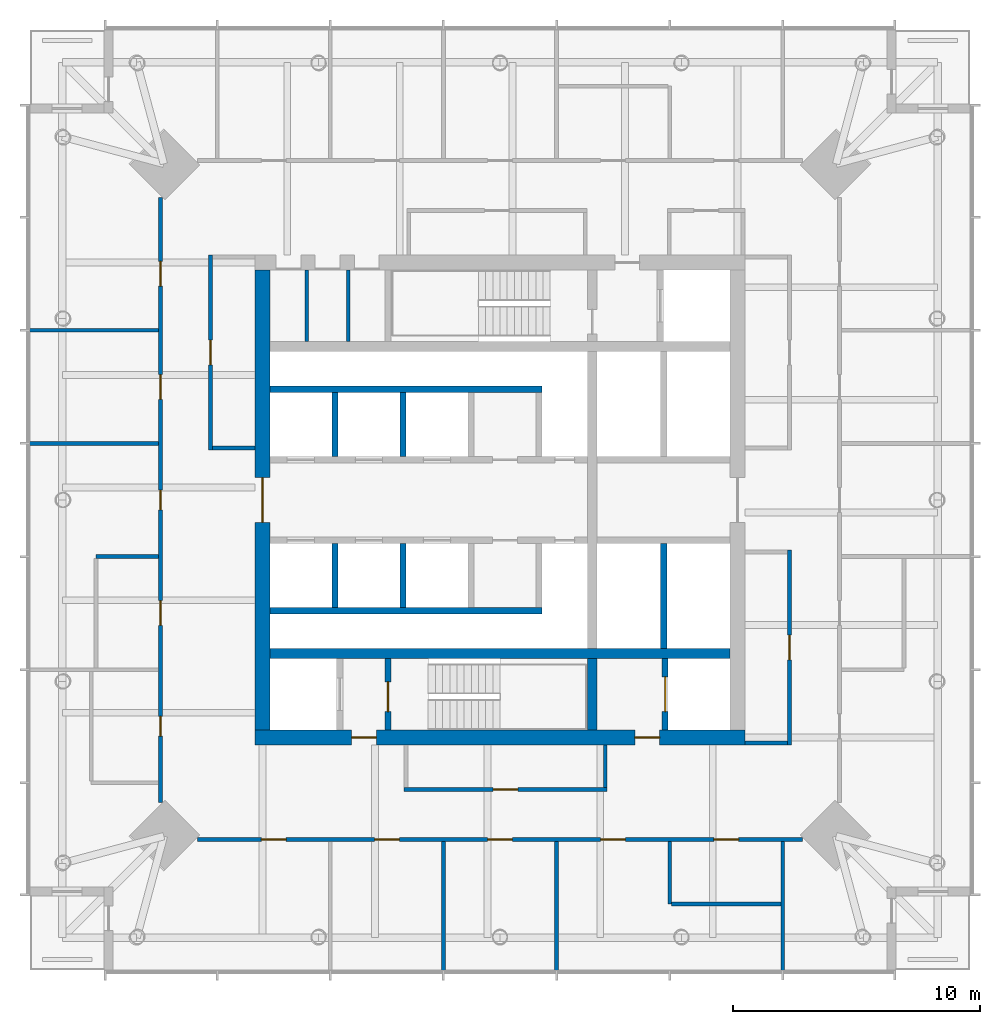
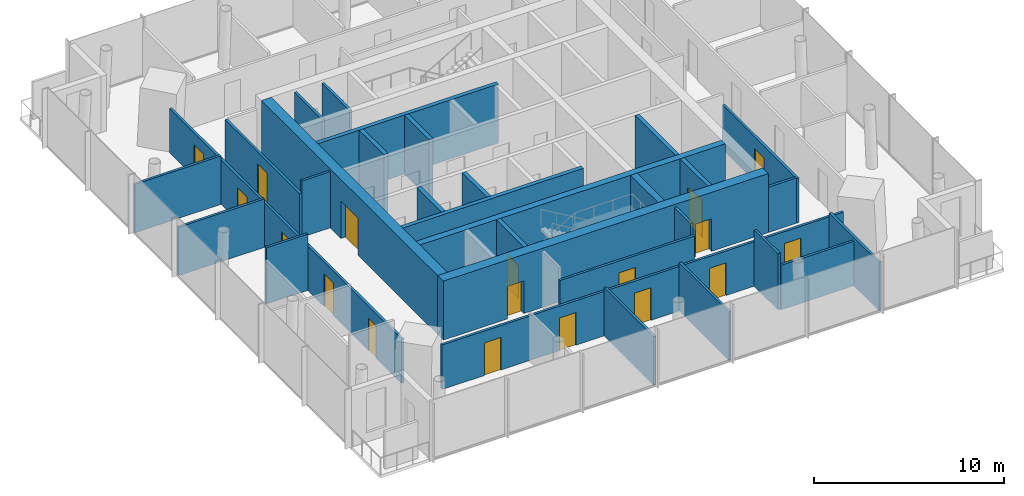
# One storey, part 4 of 7: 31 walls, 18 doors, 18 openings.
"""IFC4 building model written with IfcOpenShell, lengths in metres."""

from ifc_helpers import new_model, si_unit, direction, frame, frame_2d, origin, place, context, subcontext, project, spatial, rectangle, extrude, material, layer, layer_set, type_object, element, fill, save


model = new_model("IFC4")

# Units and contexts
model_context = context("Model", 3, precision=1e-05, world=origin(), true_north=direction((0.0, 1.0)))
body_context = subcontext(model_context, "Body", "Model", "MODEL_VIEW")
ifc_project = project(units=[si_unit("LENGTHUNIT", "METRE"), si_unit("AREAUNIT", "SQUARE_METRE"), si_unit("VOLUMEUNIT", "CUBIC_METRE"), si_unit("PLANEANGLEUNIT", "RADIAN"), si_unit("MASSUNIT", "GRAM", prefix="KILO")], contexts=[model_context])

# Site, building, storey
site_placement = place(None, origin())
site = spatial("IfcSite", under=ifc_project, at=site_placement, CompositionType="ELEMENT")
building_placement = place(site_placement, origin())
building = spatial("IfcBuilding", under=site, at=building_placement, Name="Ostroluk Exchange", CompositionType="ELEMENT")
storey_placement = place(building_placement, frame((0.0, 0.0, 218.60009765625)))
storey = spatial("IfcBuildingStorey", under=building, at=storey_placement, Name="L56", CompositionType="ELEMENT", Elevation=218.60009765625)

# Walls
ifc_material_1 = material(Name="Concrete blockwork", Category="masonry")
ifc_layer_1 = layer(ifc_material_1, 0.14990234375)
ifc_layer_set_1 = layer_set([ifc_layer_1], Name="Blockwork plant room wall 150")
wall_type_1 = type_object("IfcWallType", Name="Blockwork plant room wall 150", PredefinedType="SOLIDWALL", material=ifc_layer_set_1)
for number, where, z_axis, x_axis, name in (
    (1, (37.18798828125, 52.39990234375, 0.0), (0.0, 0.0, 1.0), (0.0, 1.0, 0.0), "Core room wall"),
    (2, (38.862060546875, 52.39990234375, 0.0), (0.0, 0.0, 1.0), (0.0, 1.0, 0.0), "Core room wall"),
):
    element("IfcWall", number, at=place(storey_placement, frame(where, z_axis=z_axis, x_axis=x_axis)), inside=storey, type_object=wall_type_1, Name=name, PredefinedType="SOLIDWALL", context=body_context, shape_type="SweptSolid", body=[
        extrude(rectangle(XDim=2.900146484375, YDim=0.14990234375, at=frame_2d((1.4501953125, 0.0))), origin(), (0.0, 0.0, 1.0), 3.619873046875),
    ])
ifc_material_2 = material(Name="Concrete C50/60", Category="concrete")
ifc_layer_2 = layer(ifc_material_2, 0.39990234375)
ifc_layer_set_2 = layer_set([ifc_layer_2], Name="Core cross wall 400 C50/60")
wall_type_2 = type_object("IfcWallType", Name="Core cross wall 400 C50/60", PredefinedType="SHEAR", material=ifc_layer_set_2)
wall_1_placement = place(storey_placement, frame((35.699951171875, 39.800048828125, 0.0), z_axis=(0.0, 0.0, 1.0), x_axis=(1.0, 0.0, 0.0)))
element("IfcWall", 3, at=wall_1_placement, inside=storey, type_object=wall_type_2, Name="T1 core wall XS", PredefinedType="SHEAR", context=body_context, shape_type="SweptSolid", body=[
    extrude(rectangle(XDim=18.60009765625, YDim=0.39990234375, at=frame_2d((9.300048828125, 0.0))), origin(), (0.0, 0.0, 1.0), 3.7998046875),
])
wall_2_placement = place(storey_placement, frame((48.72998046875, 36.699951171875, 0.0), z_axis=(0.0, 0.0, 1.0), x_axis=(0.0, 1.0, 0.0)))
element("IfcWall", 4, at=wall_2_placement, inside=storey, type_object=wall_type_2, Name="T1 core wall YE1", PredefinedType="SHEAR", context=body_context, shape_type="SweptSolid", body=[
    extrude(rectangle(XDim=2.900146484375, YDim=0.39990234375, at=frame_2d((1.4501953125, 0.0))), origin(), (0.0, 0.0, 1.0), 3.7998046875),
])

# Wall, opening, door
ifc_material_3 = material(Name="Concrete C40/50", Category="concrete")
ifc_layer_3 = layer(ifc_material_3, 0.25)
ifc_layer_set_3 = layer_set([ifc_layer_3], Name="Core shaft wall 250")
wall_type_3 = type_object("IfcWallType", Name="Core shaft wall 250", PredefinedType="SHEAR", material=ifc_layer_set_3)
wall_3_placement = place(storey_placement, frame((40.47509765625, 36.699951171875, 0.0), z_axis=(0.0, 0.0, 1.0), x_axis=(0.0, 1.0, 0.0)))
wall_3 = element("IfcWall", 5, at=wall_3_placement, inside=storey, type_object=wall_type_3, Name="Stair shaft wall", PredefinedType="SHEAR", context=body_context, shape_type="SweptSolid", body=[
    extrude(rectangle(XDim=2.900146484375, YDim=0.25, at=frame_2d((1.4501953125, 0.0))), origin(), (0.0, 0.0, 1.0), 3.7998046875),
])
opening_1_placement = place(wall_3_placement, frame((0.75, 0.0, 0.0)))
opening_1 = element("IfcOpeningElement", 6, at=opening_1_placement, cuts=wall_3, Name="Opening FD60S", PredefinedType="OPENING", context=body_context, shape_type="SweptSolid", body=[
    extrude(rectangle(XDim=1.199951171875, YDim=2.10009765625, at=frame_2d((0.60009765625, 1.050048828125))), frame((0.0, 0.135009765625, 0.0), z_axis=(0.0, -1.0, 0.0), x_axis=(1.0, 0.0, 0.0)), (0.0, 0.0, 1.0), 0.27001953125),
])
ifc_material_4 = material(Name="Steel", Category="steel")
door_type_1 = type_object("IfcDoorType", Name="Stair door EI 60 1200 x 2100", OperationType="SINGLE_SWING_LEFT", PredefinedType="DOOR", material=ifc_material_4)
door_1_placement = place(opening_1_placement, origin())
door_1 = element("IfcDoor", 7, at=door_1_placement, inside=storey, type_object=door_type_1, Name="Stair T1-S1 door", OperationType="SINGLE_SWING_LEFT", OverallHeight=2.10009765625, OverallWidth=1.199951171875, PredefinedType="DOOR", context=body_context, shape_type="SweptSolid", body=[
    extrude(rectangle(XDim=1.199951171875, YDim=2.10009765625, at=frame_2d((0.60009765625, 1.050048828125))), frame((0.0, 0.02490234375, 0.0), z_axis=(0.0, -1.0, 0.0), x_axis=(1.0, 0.0, 0.0)), (0.0, 0.0, 1.0), 0.050048828125),
])
fill(opening_1, door_1)

wall_4_placement = place(storey_placement, frame((51.675048828125, 36.699951171875, 0.0), z_axis=(0.0, 0.0, 1.0), x_axis=(0.0, 1.0, 0.0)))
wall_4 = element("IfcWall", 8, at=wall_4_placement, inside=storey, type_object=wall_type_3, Name="Service lift shaft wall", PredefinedType="SHEAR", context=body_context, shape_type="SweptSolid", body=[
    extrude(rectangle(XDim=2.900146484375, YDim=0.25, at=frame_2d((1.4501953125, 0.0))), origin(), (0.0, 0.0, 1.0), 3.7998046875),
])
opening_2_placement = place(wall_4_placement, frame((0.75, 0.0, 0.0)))
opening_2 = element("IfcOpeningElement", 9, at=opening_2_placement, cuts=wall_4, Name="Opening LD3", PredefinedType="OPENING", context=body_context, shape_type="SweptSolid", body=[
    extrude(rectangle(XDim=1.39990234375, YDim=2.39990234375, at=frame_2d((0.699951171875, 1.199951171875))), frame((0.0, 0.135009765625, 0.0), z_axis=(0.0, -1.0, 0.0), x_axis=(1.0, 0.0, 0.0)), (0.0, 0.0, 1.0), 0.27001953125),
])
ifc_material_5 = material(Name="Stainless steel", Category="steel")
door_type_2 = type_object("IfcDoorType", Name="Goods lift landing door E 60 1400 x 2400", OperationType="DOUBLE_DOOR_SLIDING", PredefinedType="DOOR", material=ifc_material_5)
door_2_placement = place(opening_2_placement, origin())
door_2 = element("IfcDoor", 10, at=door_2_placement, inside=storey, type_object=door_type_2, Name="Lift SL1 landing door", OperationType="DOUBLE_DOOR_SLIDING", OverallHeight=2.39990234375, OverallWidth=1.39990234375, PredefinedType="DOOR", context=body_context, shape_type="SweptSolid", body=[
    extrude(rectangle(XDim=1.39990234375, YDim=2.39990234375, at=frame_2d((0.699951171875, 1.199951171875))), frame((0.0, 0.02490234375, 0.0), z_axis=(0.0, -1.0, 0.0), x_axis=(1.0, 0.0, 0.0)), (0.0, 0.0, 1.0), 0.050048828125),
])
fill(opening_2, door_2)

# Walls
for number, where, z_axis, x_axis, name in (
    (11, (38.324951171875, 47.75, 0.0), (0.0, 0.0, 1.0), (0.0, 1.0, 0.0), "Lift shaft wall"),
    (12, (41.074951171875, 47.75, 0.0), (0.0, 0.0, 1.0), (0.0, 1.0, 0.0), "Lift shaft wall"),
):
    element("IfcWall", number, at=place(storey_placement, frame(where, z_axis=z_axis, x_axis=x_axis)), inside=storey, type_object=wall_type_3, Name=name, PredefinedType="SHEAR", context=body_context, shape_type="SweptSolid", body=[
        extrude(rectangle(XDim=2.60009765625, YDim=0.25, at=frame_2d((1.300048828125, 0.0))), origin(), (0.0, 0.0, 1.0), 3.7998046875),
    ])
wall_5_placement = place(storey_placement, frame((35.699951171875, 50.47509765625, 0.0), z_axis=(0.0, 0.0, 1.0), x_axis=(1.0, 0.0, 0.0)))
element("IfcWall", 13, at=wall_5_placement, inside=storey, type_object=wall_type_3, Name="Lift shaft wall", PredefinedType="SHEAR", context=body_context, shape_type="SweptSolid", body=[
    extrude(rectangle(XDim=11.0, YDim=0.25, at=frame_2d((5.5, 0.0))), origin(), (0.0, 0.0, 1.0), 3.7998046875),
])
for number, where, z_axis, x_axis, name in (
    (14, (38.324951171875, 44.25, 0.0), (0.0, 0.0, 1.0), (0.0, -1.0, 0.0), "Lift shaft wall"),
    (15, (41.074951171875, 44.25, 0.0), (0.0, 0.0, 1.0), (0.0, -1.0, 0.0), "Lift shaft wall"),
):
    element("IfcWall", number, at=place(storey_placement, frame(where, z_axis=z_axis, x_axis=x_axis)), inside=storey, type_object=wall_type_3, Name=name, PredefinedType="SHEAR", context=body_context, shape_type="SweptSolid", body=[
        extrude(rectangle(XDim=2.60009765625, YDim=0.25, at=frame_2d((1.300048828125, 0.0))), origin(), (0.0, 0.0, 1.0), 3.7998046875),
    ])
wall_6_placement = place(storey_placement, frame((35.699951171875, 41.52490234375, 0.0), z_axis=(0.0, 0.0, 1.0), x_axis=(1.0, 0.0, 0.0)))
element("IfcWall", 16, at=wall_6_placement, inside=storey, type_object=wall_type_3, Name="Lift shaft wall", PredefinedType="SHEAR", context=body_context, shape_type="SweptSolid", body=[
    extrude(rectangle(XDim=11.0, YDim=0.25, at=frame_2d((5.5, 0.0))), origin(), (0.0, 0.0, 1.0), 3.7998046875),
])
wall_7_placement = place(storey_placement, frame((51.614990234375, 44.25, 0.0), z_axis=(0.0, 0.0, 1.0), x_axis=(0.0, -1.0, 0.0)))
element("IfcWall", 17, at=wall_7_placement, inside=storey, type_object=wall_type_3, Name="Lift shaft wall", PredefinedType="SHEAR", context=body_context, shape_type="SweptSolid", body=[
    extrude(rectangle(XDim=4.25, YDim=0.25, at=frame_2d((2.125, 0.0))), origin(), (0.0, 0.0, 1.0), 3.7998046875),
])

# Wall, openings, doors
ifc_material_6 = material(Name="Concrete C50/60", Category="concrete")
ifc_layer_4 = layer(ifc_material_6, 0.60009765625)
ifc_layer_set_4 = layer_set([ifc_layer_4], Name="Core wall 600 C50/60")
wall_type_4 = type_object("IfcWallType", Name="Core wall 600 C50/60", PredefinedType="SHEAR", material=ifc_layer_set_4)
wall_8_placement = place(storey_placement, frame((35.10009765625, 36.39990234375, 0.0), z_axis=(0.0, 0.0, 1.0), x_axis=(1.0, 0.0, 0.0)))
wall_8 = element("IfcWall", 18, at=wall_8_placement, inside=storey, type_object=wall_type_4, Name="T1 core wall S", PredefinedType="SHEAR", context=body_context, shape_type="SweptSolid", body=[
    extrude(rectangle(XDim=19.7998046875, YDim=0.60009765625, at=frame_2d((9.89990234375, 0.0))), origin(), (0.0, 0.0, 1.0), 3.7998046875),
])
opening_3_placement = place(wall_8_placement, frame((3.89990234375, 0.0, 0.0)))
opening_3 = element("IfcOpeningElement", 19, at=opening_3_placement, cuts=wall_8, Name="Opening FD60", PredefinedType="OPENING", context=body_context, shape_type="SweptSolid", body=[
    extrude(rectangle(XDim=1.0, YDim=2.10009765625, at=frame_2d((0.5, 1.050048828125))), frame((0.0, 0.31005859375, 0.0), z_axis=(0.0, -1.0, 0.0), x_axis=(1.0, 0.0, 0.0)), (0.0, 0.0, 1.0), 0.6201171875),
])
opening_4_placement = place(wall_8_placement, frame((15.35009765625, 0.0, 0.0)))
opening_4 = element("IfcOpeningElement", 20, at=opening_4_placement, cuts=wall_8, Name="Opening FD60", PredefinedType="OPENING", context=body_context, shape_type="SweptSolid", body=[
    extrude(rectangle(XDim=1.0, YDim=2.10009765625, at=frame_2d((0.5, 1.050048828125))), frame((0.0, 0.31005859375, 0.0), z_axis=(0.0, -1.0, 0.0), x_axis=(1.0, 0.0, 0.0)), (0.0, 0.0, 1.0), 0.6201171875),
])
ifc_material_7 = material(Name="Steel", Category="steel")
door_type_3 = type_object("IfcDoorType", Name="Fire door EI 60 1000 x 2100", OperationType="SINGLE_SWING_LEFT", PredefinedType="DOOR", material=ifc_material_7)
door_3_placement = place(opening_3_placement, origin())
door_3 = element("IfcDoor", 21, at=door_3_placement, inside=storey, type_object=door_type_3, Name="Firefighting lobby door", OperationType="SINGLE_SWING_LEFT", OverallHeight=2.10009765625, OverallWidth=1.0, PredefinedType="DOOR", context=body_context, shape_type="SweptSolid", body=[
    extrude(rectangle(XDim=1.0, YDim=2.10009765625, at=frame_2d((0.5, 1.050048828125))), frame((0.0, 0.02490234375, 0.0), z_axis=(0.0, -1.0, 0.0), x_axis=(1.0, 0.0, 0.0)), (0.0, 0.0, 1.0), 0.050048828125),
])
fill(opening_3, door_3)
door_4_placement = place(opening_4_placement, origin())
door_4 = element("IfcDoor", 22, at=door_4_placement, inside=storey, type_object=door_type_3, Name="Service lobby door", OperationType="SINGLE_SWING_RIGHT", OverallHeight=2.10009765625, OverallWidth=1.0, PredefinedType="DOOR", context=body_context, shape_type="SweptSolid", body=[
    extrude(rectangle(XDim=1.0, YDim=2.10009765625, at=frame_2d((0.5, 1.050048828125))), frame((0.0, 0.02490234375, 0.0), z_axis=(0.0, -1.0, 0.0), x_axis=(1.0, 0.0, 0.0)), (0.0, 0.0, 1.0), 0.050048828125),
])
fill(opening_4, door_4)

# Wall, opening, door
wall_9_placement = place(storey_placement, frame((35.39990234375, 36.699951171875, 0.0), z_axis=(0.0, 0.0, 1.0), x_axis=(0.0, 1.0, 0.0)))
wall_9 = element("IfcWall", 23, at=wall_9_placement, inside=storey, type_object=wall_type_4, Name="T1 core wall W", PredefinedType="SHEAR", context=body_context, shape_type="SweptSolid", body=[
    extrude(rectangle(XDim=18.60009765625, YDim=0.60009765625, at=frame_2d((9.300048828125, 0.0))), origin(), (0.0, 0.0, 1.0), 3.7998046875),
])
opening_5_placement = place(wall_9_placement, frame((8.39990234375, 0.0, 0.0)))
opening_5 = element("IfcOpeningElement", 24, at=opening_5_placement, cuts=wall_9, Name="Opening FD30D", PredefinedType="OPENING", context=body_context, shape_type="SweptSolid", body=[
    extrude(rectangle(XDim=1.800048828125, YDim=2.39990234375, at=frame_2d((0.89990234375, 1.199951171875))), frame((0.0, 0.31005859375, 0.0), z_axis=(0.0, -1.0, 0.0), x_axis=(1.0, 0.0, 0.0)), (0.0, 0.0, 1.0), 0.6201171875),
])
ifc_material_8 = material(Name="Timber", Category="wood")
door_type_4 = type_object("IfcDoorType", Name="Lobby double door EI 30 1800 x 2400", OperationType="DOUBLE_DOOR_SINGLE_SWING", PredefinedType="DOOR", material=ifc_material_8)
door_5_placement = place(opening_5_placement, origin())
door_5 = element("IfcDoor", 25, at=door_5_placement, inside=storey, type_object=door_type_4, Name="Lift lobby doors", OperationType="DOUBLE_DOOR_SINGLE_SWING", OverallHeight=2.39990234375, OverallWidth=1.800048828125, PredefinedType="DOOR", context=body_context, shape_type="SweptSolid", body=[
    extrude(rectangle(XDim=1.800048828125, YDim=2.39990234375, at=frame_2d((0.89990234375, 1.199951171875))), frame((0.0, 0.02490234375, 0.0), z_axis=(0.0, -1.0, 0.0), x_axis=(1.0, 0.0, 0.0)), (0.0, 0.0, 1.0), 0.050048828125),
])
fill(opening_5, door_5)

ifc_material_9 = material(Name="Gypsum plasterboard partition", Category="gypsum")
ifc_layer_5 = layer(ifc_material_9, 0.14990234375)
ifc_layer_set_5 = layer_set([ifc_layer_5], Name="Plasterboard partition 150")
wall_type_5 = type_object("IfcWallType", Name="Plasterboard partition 150", PredefinedType="PARTITIONING", material=ifc_layer_set_5)
wall_10_placement = place(storey_placement, frame((56.699951171875, 36.10009765625, 0.0), z_axis=(0.0, 0.0, 1.0), x_axis=(0.0, 1.0, 0.0)))
wall_10 = element("IfcWall", 26, at=wall_10_placement, inside=storey, type_object=wall_type_5, Name="Partition", PredefinedType="PARTITIONING", context=body_context, shape_type="SweptSolid", body=[
    extrude(rectangle(XDim=7.875, YDim=0.14990234375, at=frame_2d((3.9375, 0.0))), origin(), (0.0, 0.0, 1.0), 2.866943359375),
])
opening_6_placement = place(wall_10_placement, frame((3.4375, 0.0, 0.0)))
opening_6 = element("IfcOpeningElement", 27, at=opening_6_placement, cuts=wall_10, Name="Opening D-03", PredefinedType="OPENING", context=body_context, shape_type="SweptSolid", body=[
    extrude(rectangle(XDim=1.0, YDim=2.10009765625, at=frame_2d((0.5, 1.050048828125))), frame((0.0, 0.0849609375, 0.0), z_axis=(0.0, -1.0, 0.0), x_axis=(1.0, 0.0, 0.0)), (0.0, 0.0, 1.0), 0.169921875),
])
ifc_material_10 = material(Name="Timber", Category="wood")
door_type_5 = type_object("IfcDoorType", Name="Internal door 1000 x 2100", OperationType="SINGLE_SWING_LEFT", PredefinedType="DOOR", material=ifc_material_10)
door_6_placement = place(opening_6_placement, origin())
door_6 = element("IfcDoor", 28, at=door_6_placement, inside=storey, type_object=door_type_5, Name="Staff room door", OperationType="SINGLE_SWING_LEFT", OverallHeight=2.10009765625, OverallWidth=1.0, PredefinedType="DOOR", context=body_context, shape_type="SweptSolid", body=[
    extrude(rectangle(XDim=1.0, YDim=2.10009765625, at=frame_2d((0.5, 1.050048828125))), frame((0.0, 0.02490234375, 0.0), z_axis=(0.0, -1.0, 0.0), x_axis=(1.0, 0.0, 0.0)), (0.0, 0.0, 1.0), 0.050048828125),
])
fill(opening_6, door_6)

# Wall
wall_11_placement = place(storey_placement, frame((54.89990234375, 36.175048828125, 0.0), z_axis=(0.0, 0.0, 1.0), x_axis=(1.0, 0.0, 0.0)))
element("IfcWall", 29, at=wall_11_placement, inside=storey, type_object=wall_type_5, Name="Partition", PredefinedType="PARTITIONING", context=body_context, shape_type="SweptSolid", body=[
    extrude(rectangle(XDim=1.72509765625, YDim=0.14990234375, at=frame_2d((0.862548828125, 0.0))), origin(), (0.0, 0.0, 1.0), 2.919921875),
])

# Wall, opening, door
wall_12_placement = place(storey_placement, frame((33.300048828125, 55.89990234375, 0.0), z_axis=(0.0, 0.0, 1.0), x_axis=(0.0, -1.0, 0.0)))
wall_12 = element("IfcWall", 30, at=wall_12_placement, inside=storey, type_object=wall_type_5, Name="Partition", PredefinedType="PARTITIONING", context=body_context, shape_type="SweptSolid", body=[
    extrude(rectangle(XDim=7.875, YDim=0.14990234375, at=frame_2d((3.9375, 0.0))), origin(), (0.0, 0.0, 1.0), 2.866943359375),
])
opening_7_placement = place(wall_12_placement, frame((3.4375, 0.0, 0.0)))
opening_7 = element("IfcOpeningElement", 31, at=opening_7_placement, cuts=wall_12, Name="Opening D-03", PredefinedType="OPENING", context=body_context, shape_type="SweptSolid", body=[
    extrude(rectangle(XDim=1.0, YDim=2.10009765625, at=frame_2d((0.5, 1.050048828125))), frame((0.0, 0.0849609375, 0.0), z_axis=(0.0, -1.0, 0.0), x_axis=(1.0, 0.0, 0.0)), (0.0, 0.0, 1.0), 0.169921875),
])
door_7_placement = place(opening_7_placement, origin())
door_7 = element("IfcDoor", 32, at=door_7_placement, inside=storey, type_object=door_type_5, Name="Staff room door", OperationType="SINGLE_SWING_LEFT", OverallHeight=2.10009765625, OverallWidth=1.0, PredefinedType="DOOR", context=body_context, shape_type="SweptSolid", body=[
    extrude(rectangle(XDim=1.0, YDim=2.10009765625, at=frame_2d((0.5, 1.050048828125))), frame((0.0, 0.02490234375, 0.0), z_axis=(0.0, -1.0, 0.0), x_axis=(1.0, 0.0, 0.0)), (0.0, 0.0, 1.0), 0.050048828125),
])
fill(opening_7, door_7)

# Wall
wall_13_placement = place(storey_placement, frame((35.10009765625, 48.10009765625, 0.0), z_axis=(0.0, 0.0, 1.0), x_axis=(-1.0, 0.0, 0.0)))
element("IfcWall", 33, at=wall_13_placement, inside=storey, type_object=wall_type_5, Name="Partition", PredefinedType="PARTITIONING", context=body_context, shape_type="SweptSolid", body=[
    extrude(rectangle(XDim=1.72509765625, YDim=0.14990234375, at=frame_2d((0.862548828125, 0.0))), origin(), (0.0, 0.0, 1.0), 3.619873046875),
])

# Wall, opening, door
wall_14_placement = place(storey_placement, frame((41.125, 34.300048828125, 0.0), z_axis=(0.0, 0.0, 1.0), x_axis=(1.0, 0.0, 0.0)))
wall_14 = element("IfcWall", 34, at=wall_14_placement, inside=storey, type_object=wall_type_5, Name="Partition", PredefinedType="PARTITIONING", context=body_context, shape_type="SweptSolid", body=[
    extrude(rectangle(XDim=8.199951171875, YDim=0.14990234375, at=frame_2d((4.10009765625, 0.0))), origin(), (0.0, 0.0, 1.0), 2.866943359375),
])
opening_8_placement = place(wall_14_placement, frame((3.60009765625, 0.0, 0.0)))
opening_8 = element("IfcOpeningElement", 35, at=opening_8_placement, cuts=wall_14, Name="Opening D-03", PredefinedType="OPENING", context=body_context, shape_type="SweptSolid", body=[
    extrude(rectangle(XDim=1.0, YDim=2.10009765625, at=frame_2d((0.5, 1.050048828125))), frame((0.0, 0.0849609375, 0.0), z_axis=(0.0, -1.0, 0.0), x_axis=(1.0, 0.0, 0.0)), (0.0, 0.0, 1.0), 0.169921875),
])
door_8_placement = place(opening_8_placement, origin())
door_8 = element("IfcDoor", 36, at=door_8_placement, inside=storey, type_object=door_type_5, Name="Staff room door", OperationType="SINGLE_SWING_LEFT", OverallHeight=2.10009765625, OverallWidth=1.0, PredefinedType="DOOR", context=body_context, shape_type="SweptSolid", body=[
    extrude(rectangle(XDim=1.0, YDim=2.10009765625, at=frame_2d((0.5, 1.050048828125))), frame((0.0, 0.02490234375, 0.0), z_axis=(0.0, -1.0, 0.0), x_axis=(1.0, 0.0, 0.0)), (0.0, 0.0, 1.0), 0.050048828125),
])
fill(opening_8, door_8)

# Wall
wall_15_placement = place(storey_placement, frame((49.25, 36.10009765625, 0.0), z_axis=(0.0, 0.0, 1.0), x_axis=(0.0, -1.0, 0.0)))
element("IfcWall", 37, at=wall_15_placement, inside=storey, type_object=wall_type_5, Name="Partition", PredefinedType="PARTITIONING", context=body_context, shape_type="SweptSolid", body=[
    extrude(rectangle(XDim=1.72509765625, YDim=0.14990234375, at=frame_2d((0.862548828125, 0.0))), origin(), (0.0, 0.0, 1.0), 3.619873046875),
])

# Wall, openings, doors
wall_16_placement = place(storey_placement, frame((31.27490234375, 58.23583984375, 0.0), z_axis=(0.0, 0.0, 1.0), x_axis=(0.0, -1.0, 0.0)))
wall_16 = element("IfcWall", 38, at=wall_16_placement, inside=storey, type_object=wall_type_5, Name="Partition", PredefinedType="PARTITIONING", context=body_context, shape_type="SweptSolid", body=[
    extrude(rectangle(XDim=24.4716796875, YDim=0.14990234375, at=frame_2d((12.23583984375, 0.0))), origin(), (0.0, 0.0, 1.0), 2.866943359375),
])
opening_9_placement = place(wall_16_placement, frame((2.593017578125, 0.0, 0.0)))
opening_9 = element("IfcOpeningElement", 39, at=opening_9_placement, cuts=wall_16, Name="Opening D-03", PredefinedType="OPENING", context=body_context, shape_type="SweptSolid", body=[
    extrude(rectangle(XDim=1.0, YDim=2.10009765625, at=frame_2d((0.5, 1.050048828125))), frame((0.0, 0.0849609375, 0.0), z_axis=(0.0, -1.0, 0.0), x_axis=(1.0, 0.0, 0.0)), (0.0, 0.0, 1.0), 0.169921875),
])
opening_10_placement = place(wall_16_placement, frame((7.164306640625, 0.0, 0.0)))
opening_10 = element("IfcOpeningElement", 40, at=opening_10_placement, cuts=wall_16, Name="Opening D-03", PredefinedType="OPENING", context=body_context, shape_type="SweptSolid", body=[
    extrude(rectangle(XDim=1.0, YDim=2.10009765625, at=frame_2d((0.5, 1.050048828125))), frame((0.0, 0.0849609375, 0.0), z_axis=(0.0, -1.0, 0.0), x_axis=(1.0, 0.0, 0.0)), (0.0, 0.0, 1.0), 0.169921875),
])
opening_11_placement = place(wall_16_placement, frame((11.835693359375, 0.0, 0.0)))
opening_11 = element("IfcOpeningElement", 41, at=opening_11_placement, cuts=wall_16, Name="Opening D-06", PredefinedType="OPENING", context=body_context, shape_type="SweptSolid", body=[
    extrude(rectangle(XDim=0.800048828125, YDim=2.10009765625, at=frame_2d((0.39990234375, 1.050048828125))), frame((0.0, 0.0849609375, 0.0), z_axis=(0.0, -1.0, 0.0), x_axis=(1.0, 0.0, 0.0)), (0.0, 0.0, 1.0), 0.169921875),
])
opening_12_placement = place(wall_16_placement, frame((16.30712890625, 0.0, 0.0)))
opening_12 = element("IfcOpeningElement", 42, at=opening_12_placement, cuts=wall_16, Name="Opening D-03", PredefinedType="OPENING", context=body_context, shape_type="SweptSolid", body=[
    extrude(rectangle(XDim=1.0, YDim=2.10009765625, at=frame_2d((0.5, 1.050048828125))), frame((0.0, 0.0849609375, 0.0), z_axis=(0.0, -1.0, 0.0), x_axis=(1.0, 0.0, 0.0)), (0.0, 0.0, 1.0), 0.169921875),
])
opening_13_placement = place(wall_16_placement, frame((20.978759765625, 0.0, 0.0)))
opening_13 = element("IfcOpeningElement", 43, at=opening_13_placement, cuts=wall_16, Name="Opening D-06", PredefinedType="OPENING", context=body_context, shape_type="SweptSolid", body=[
    extrude(rectangle(XDim=0.800048828125, YDim=2.10009765625, at=frame_2d((0.39990234375, 1.050048828125))), frame((0.0, 0.0849609375, 0.0), z_axis=(0.0, -1.0, 0.0), x_axis=(1.0, 0.0, 0.0)), (0.0, 0.0, 1.0), 0.169921875),
])
door_9_placement = place(opening_9_placement, origin())
door_9 = element("IfcDoor", 44, at=door_9_placement, inside=storey, type_object=door_type_5, Name="Office suite door", OperationType="SINGLE_SWING_LEFT", OverallHeight=2.10009765625, OverallWidth=1.0, PredefinedType="DOOR", context=body_context, shape_type="SweptSolid", body=[
    extrude(rectangle(XDim=1.0, YDim=2.10009765625, at=frame_2d((0.5, 1.050048828125))), frame((0.0, 0.02490234375, 0.0), z_axis=(0.0, -1.0, 0.0), x_axis=(1.0, 0.0, 0.0)), (0.0, 0.0, 1.0), 0.050048828125),
])
fill(opening_9, door_9)
door_10_placement = place(opening_10_placement, origin())
door_10 = element("IfcDoor", 45, at=door_10_placement, inside=storey, type_object=door_type_5, Name="Meeting room door", OperationType="SINGLE_SWING_LEFT", OverallHeight=2.10009765625, OverallWidth=1.0, PredefinedType="DOOR", context=body_context, shape_type="SweptSolid", body=[
    extrude(rectangle(XDim=1.0, YDim=2.10009765625, at=frame_2d((0.5, 1.050048828125))), frame((0.0, 0.02490234375, 0.0), z_axis=(0.0, -1.0, 0.0), x_axis=(1.0, 0.0, 0.0)), (0.0, 0.0, 1.0), 0.050048828125),
])
fill(opening_10, door_10)
door_11_placement = place(opening_12_placement, origin())
door_11 = element("IfcDoor", 46, at=door_11_placement, inside=storey, type_object=door_type_5, Name="Accessible WC door", OperationType="SINGLE_SWING_RIGHT", OverallHeight=2.10009765625, OverallWidth=1.0, PredefinedType="DOOR", context=body_context, shape_type="SweptSolid", body=[
    extrude(rectangle(XDim=1.0, YDim=2.10009765625, at=frame_2d((0.5, 1.050048828125))), frame((0.0, 0.02490234375, 0.0), z_axis=(0.0, -1.0, 0.0), x_axis=(1.0, 0.0, 0.0)), (0.0, 0.0, 1.0), 0.050048828125),
])
fill(opening_12, door_11)
ifc_material_11 = material(Name="Timber", Category="wood")
door_type_6 = type_object("IfcDoorType", Name="Toilet door 800 x 2100", OperationType="SINGLE_SWING_LEFT", PredefinedType="DOOR", material=ifc_material_11)
door_12_placement = place(opening_11_placement, origin())
door_12 = element("IfcDoor", 47, at=door_12_placement, inside=storey, type_object=door_type_6, Name="WC female door", OperationType="SINGLE_SWING_LEFT", OverallHeight=2.10009765625, OverallWidth=0.800048828125, PredefinedType="DOOR", context=body_context, shape_type="SweptSolid", body=[
    extrude(rectangle(XDim=0.800048828125, YDim=2.10009765625, at=frame_2d((0.39990234375, 1.050048828125))), frame((0.0, 0.02490234375, 0.0), z_axis=(0.0, -1.0, 0.0), x_axis=(1.0, 0.0, 0.0)), (0.0, 0.0, 1.0), 0.050048828125),
])
fill(opening_11, door_12)
door_13_placement = place(opening_13_placement, origin())
door_13 = element("IfcDoor", 48, at=door_13_placement, inside=storey, type_object=door_type_6, Name="WC male door", OperationType="SINGLE_SWING_RIGHT", OverallHeight=2.10009765625, OverallWidth=0.800048828125, PredefinedType="DOOR", context=body_context, shape_type="SweptSolid", body=[
    extrude(rectangle(XDim=0.800048828125, YDim=2.10009765625, at=frame_2d((0.39990234375, 1.050048828125))), frame((0.0, 0.02490234375, 0.0), z_axis=(0.0, -1.0, 0.0), x_axis=(1.0, 0.0, 0.0)), (0.0, 0.0, 1.0), 0.050048828125),
])
fill(opening_13, door_13)

# Walls
for number, where, z_axis, x_axis, name in (
    (49, (31.199951171875, 52.857177734375, 0.0), (0.0, 0.0, 1.0), (-1.0, 0.0, 0.0), "Partition"),
    (50, (31.199951171875, 48.28564453125, 0.0), (0.0, 0.0, 1.0), (-1.0, 0.0, 0.0), "Partition"),
):
    element("IfcWall", number, at=place(storey_placement, frame(where, z_axis=z_axis, x_axis=x_axis)), inside=storey, type_object=wall_type_5, Name=name, PredefinedType="PARTITIONING", context=body_context, shape_type="SweptSolid", body=[
        extrude(rectangle(XDim=5.239990234375, YDim=0.14990234375, at=frame_2d((2.6201171875, 0.0))), origin(), (0.0, 0.0, 1.0), 3.119873046875),
    ])
wall_17_placement = place(storey_placement, frame((31.199951171875, 43.71435546875, 0.0), z_axis=(0.0, 0.0, 1.0), x_axis=(-1.0, 0.0, 0.0)))
element("IfcWall", 51, at=wall_17_placement, inside=storey, type_object=wall_type_5, Name="Partition", PredefinedType="PARTITIONING", context=body_context, shape_type="SweptSolid", body=[
    extrude(rectangle(XDim=2.52490234375, YDim=0.14990234375, at=frame_2d((1.262451171875, 0.0))), origin(), (0.0, 0.0, 1.0), 3.619873046875),
])
wall_18_placement = place(storey_placement, frame((51.93212890625, 29.675048828125, 0.0), z_axis=(0.0, 0.0, 1.0), x_axis=(1.0, 0.0, 0.0)))
element("IfcWall", 52, at=wall_18_placement, inside=storey, type_object=wall_type_5, Name="Partition", PredefinedType="PARTITIONING", context=body_context, shape_type="SweptSolid", body=[
    extrude(rectangle(XDim=4.42138671875, YDim=0.14990234375, at=frame_2d((2.210693359375, 0.0))), origin(), (0.0, 0.0, 1.0), 2.866943359375),
])

# Wall, openings, doors
wall_19_placement = place(storey_placement, frame((32.76416015625, 32.27490234375, 0.0), z_axis=(0.0, 0.0, 1.0), x_axis=(1.0, 0.0, 0.0)))
wall_19 = element("IfcWall", 53, at=wall_19_placement, inside=storey, type_object=wall_type_5, Name="Partition", PredefinedType="PARTITIONING", context=body_context, shape_type="SweptSolid", body=[
    extrude(rectangle(XDim=24.4716796875, YDim=0.14990234375, at=frame_2d((12.23583984375, 0.0))), origin(), (0.0, 0.0, 1.0), 2.866943359375),
])
opening_14_placement = place(wall_19_placement, frame((2.593017578125, 0.0, 0.0)))
opening_14 = element("IfcOpeningElement", 54, at=opening_14_placement, cuts=wall_19, Name="Opening D-03", PredefinedType="OPENING", context=body_context, shape_type="SweptSolid", body=[
    extrude(rectangle(XDim=1.0, YDim=2.10009765625, at=frame_2d((0.5, 1.050048828125))), frame((0.0, 0.0849609375, 0.0), z_axis=(0.0, -1.0, 0.0), x_axis=(1.0, 0.0, 0.0)), (0.0, 0.0, 1.0), 0.169921875),
])
opening_15_placement = place(wall_19_placement, frame((7.164306640625, 0.0, 0.0)))
opening_15 = element("IfcOpeningElement", 55, at=opening_15_placement, cuts=wall_19, Name="Opening D-03", PredefinedType="OPENING", context=body_context, shape_type="SweptSolid", body=[
    extrude(rectangle(XDim=1.0, YDim=2.10009765625, at=frame_2d((0.5, 1.050048828125))), frame((0.0, 0.0849609375, 0.0), z_axis=(0.0, -1.0, 0.0), x_axis=(1.0, 0.0, 0.0)), (0.0, 0.0, 1.0), 0.169921875),
])
opening_16_placement = place(wall_19_placement, frame((11.73583984375, 0.0, 0.0)))
opening_16 = element("IfcOpeningElement", 56, at=opening_16_placement, cuts=wall_19, Name="Opening D-03", PredefinedType="OPENING", context=body_context, shape_type="SweptSolid", body=[
    extrude(rectangle(XDim=1.0, YDim=2.10009765625, at=frame_2d((0.5, 1.050048828125))), frame((0.0, 0.0849609375, 0.0), z_axis=(0.0, -1.0, 0.0), x_axis=(1.0, 0.0, 0.0)), (0.0, 0.0, 1.0), 0.169921875),
])
opening_17_placement = place(wall_19_placement, frame((16.30712890625, 0.0, 0.0)))
opening_17 = element("IfcOpeningElement", 57, at=opening_17_placement, cuts=wall_19, Name="Opening D-03", PredefinedType="OPENING", context=body_context, shape_type="SweptSolid", body=[
    extrude(rectangle(XDim=1.0, YDim=2.10009765625, at=frame_2d((0.5, 1.050048828125))), frame((0.0, 0.0849609375, 0.0), z_axis=(0.0, -1.0, 0.0), x_axis=(1.0, 0.0, 0.0)), (0.0, 0.0, 1.0), 0.169921875),
])
opening_18_placement = place(wall_19_placement, frame((20.878662109375, 0.0, 0.0)))
opening_18 = element("IfcOpeningElement", 58, at=opening_18_placement, cuts=wall_19, Name="Opening D-03", PredefinedType="OPENING", context=body_context, shape_type="SweptSolid", body=[
    extrude(rectangle(XDim=1.0, YDim=2.10009765625, at=frame_2d((0.5, 1.050048828125))), frame((0.0, 0.0849609375, 0.0), z_axis=(0.0, -1.0, 0.0), x_axis=(1.0, 0.0, 0.0)), (0.0, 0.0, 1.0), 0.169921875),
])
door_14_placement = place(opening_14_placement, origin())
door_14 = element("IfcDoor", 59, at=door_14_placement, inside=storey, type_object=door_type_5, Name="Office suite door", OperationType="SINGLE_SWING_LEFT", OverallHeight=2.10009765625, OverallWidth=1.0, PredefinedType="DOOR", context=body_context, shape_type="SweptSolid", body=[
    extrude(rectangle(XDim=1.0, YDim=2.10009765625, at=frame_2d((0.5, 1.050048828125))), frame((0.0, 0.02490234375, 0.0), z_axis=(0.0, -1.0, 0.0), x_axis=(1.0, 0.0, 0.0)), (0.0, 0.0, 1.0), 0.050048828125),
])
fill(opening_14, door_14)
door_15_placement = place(opening_15_placement, origin())
door_15 = element("IfcDoor", 60, at=door_15_placement, inside=storey, type_object=door_type_5, Name="Office door", OperationType="SINGLE_SWING_LEFT", OverallHeight=2.10009765625, OverallWidth=1.0, PredefinedType="DOOR", context=body_context, shape_type="SweptSolid", body=[
    extrude(rectangle(XDim=1.0, YDim=2.10009765625, at=frame_2d((0.5, 1.050048828125))), frame((0.0, 0.02490234375, 0.0), z_axis=(0.0, -1.0, 0.0), x_axis=(1.0, 0.0, 0.0)), (0.0, 0.0, 1.0), 0.050048828125),
])
fill(opening_15, door_15)
door_16_placement = place(opening_16_placement, origin())
door_16 = element("IfcDoor", 61, at=door_16_placement, inside=storey, type_object=door_type_5, Name="Office door", OperationType="SINGLE_SWING_LEFT", OverallHeight=2.10009765625, OverallWidth=1.0, PredefinedType="DOOR", context=body_context, shape_type="SweptSolid", body=[
    extrude(rectangle(XDim=1.0, YDim=2.10009765625, at=frame_2d((0.5, 1.050048828125))), frame((0.0, 0.02490234375, 0.0), z_axis=(0.0, -1.0, 0.0), x_axis=(1.0, 0.0, 0.0)), (0.0, 0.0, 1.0), 0.050048828125),
])
fill(opening_16, door_16)
door_17_placement = place(opening_17_placement, origin())
door_17 = element("IfcDoor", 62, at=door_17_placement, inside=storey, type_object=door_type_5, Name="Office door", OperationType="SINGLE_SWING_RIGHT", OverallHeight=2.10009765625, OverallWidth=1.0, PredefinedType="DOOR", context=body_context, shape_type="SweptSolid", body=[
    extrude(rectangle(XDim=1.0, YDim=2.10009765625, at=frame_2d((0.5, 1.050048828125))), frame((0.0, 0.02490234375, 0.0), z_axis=(0.0, -1.0, 0.0), x_axis=(1.0, 0.0, 0.0)), (0.0, 0.0, 1.0), 0.050048828125),
])
fill(opening_17, door_17)
door_18_placement = place(opening_18_placement, origin())
door_18 = element("IfcDoor", 63, at=door_18_placement, inside=storey, type_object=door_type_5, Name="Pantry door", OperationType="SINGLE_SWING_RIGHT", OverallHeight=2.10009765625, OverallWidth=1.0, PredefinedType="DOOR", context=body_context, shape_type="SweptSolid", body=[
    extrude(rectangle(XDim=1.0, YDim=2.10009765625, at=frame_2d((0.5, 1.050048828125))), frame((0.0, 0.02490234375, 0.0), z_axis=(0.0, -1.0, 0.0), x_axis=(1.0, 0.0, 0.0)), (0.0, 0.0, 1.0), 0.050048828125),
])
fill(opening_18, door_18)

# Walls
for number, where, z_axis, x_axis, name in (
    (64, (42.71435546875, 32.199951171875, 0.0), (0.0, 0.0, 1.0), (0.0, -1.0, 0.0), "Partition"),
    (65, (47.28564453125, 32.199951171875, 0.0), (0.0, 0.0, 1.0), (0.0, -1.0, 0.0), "Partition"),
):
    element("IfcWall", number, at=place(storey_placement, frame(where, z_axis=z_axis, x_axis=x_axis)), inside=storey, type_object=wall_type_5, Name=name, PredefinedType="PARTITIONING", context=body_context, shape_type="SweptSolid", body=[
        extrude(rectangle(XDim=5.239990234375, YDim=0.14990234375, at=frame_2d((2.6201171875, 0.0))), origin(), (0.0, 0.0, 1.0), 3.119873046875),
    ])
wall_20_placement = place(storey_placement, frame((51.857177734375, 32.199951171875, 0.0), z_axis=(0.0, 0.0, 1.0), x_axis=(0.0, -1.0, 0.0)))
element("IfcWall", 66, at=wall_20_placement, inside=storey, type_object=wall_type_5, Name="Partition", PredefinedType="PARTITIONING", context=body_context, shape_type="SweptSolid", body=[
    extrude(rectangle(XDim=2.52490234375, YDim=0.14990234375, at=frame_2d((1.262451171875, 0.0))), origin(), (0.0, 0.0, 1.0), 3.619873046875),
])
wall_21_placement = place(storey_placement, frame((56.428466796875, 32.199951171875, 0.0), z_axis=(0.0, 0.0, 1.0), x_axis=(0.0, -1.0, 0.0)))
element("IfcWall", 67, at=wall_21_placement, inside=storey, type_object=wall_type_5, Name="Partition", PredefinedType="PARTITIONING", context=body_context, shape_type="SweptSolid", body=[
    extrude(rectangle(XDim=5.239990234375, YDim=0.14990234375, at=frame_2d((2.6201171875, 0.0))), origin(), (0.0, 0.0, 1.0), 3.119873046875),
])

save(model, "model.ifc")
